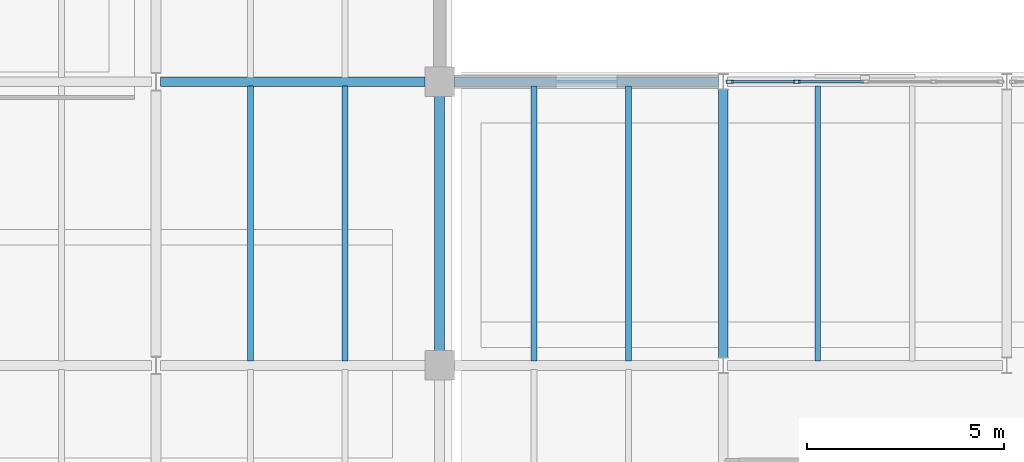
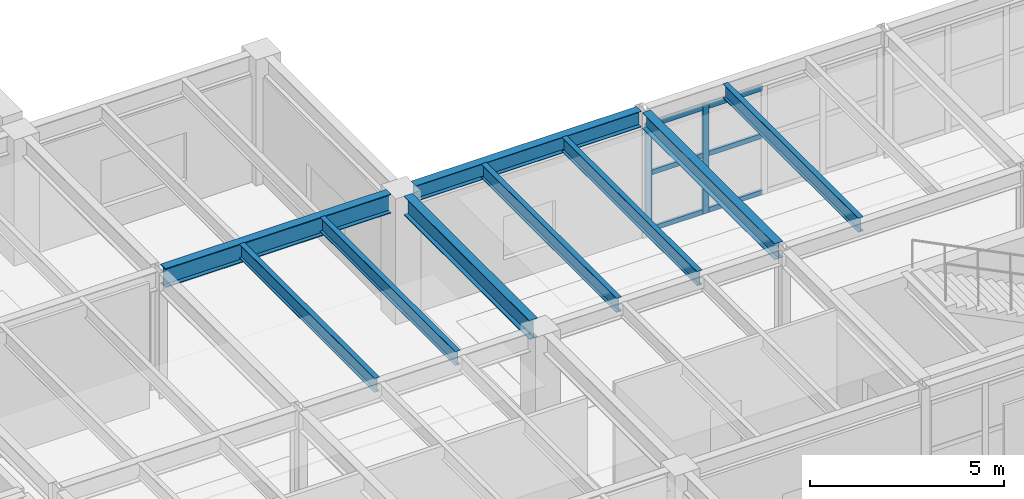
# One storey, part 15 of 37: 9 beams, 8 members, 1 element without a shape of its own.
"""IFC4 building model written with IfcOpenShell, lengths in metres."""

from ifc_helpers import new_model, si_unit, direction, frame, origin, origin_2d, place, context, subcontext, project, spatial, hollow_rectangle, i_section, extrude, material, layer, layer_set, material_profile, profile_set, type_object, element, aggregate, save


model = new_model("IFC4")

# Units and contexts
model_context = context("Model", 3, precision=1e-05, world=origin(), true_north=direction((0.0, 1.0)))
body_context = subcontext(model_context, "Body", "Model", "MODEL_VIEW")
ifc_project = project(units=[si_unit("LENGTHUNIT", "METRE"), si_unit("AREAUNIT", "SQUARE_METRE"), si_unit("VOLUMEUNIT", "CUBIC_METRE"), si_unit("PLANEANGLEUNIT", "RADIAN"), si_unit("MASSUNIT", "GRAM", prefix="KILO")], contexts=[model_context])

# Site, building, storey
site_placement = place(None, origin())
site = spatial("IfcSite", under=ifc_project, at=site_placement, CompositionType="ELEMENT")
building_placement = place(site_placement, origin())
building = spatial("IfcBuilding", under=site, at=building_placement, Name="Kandorven Conservatory and Botanical Research Centre", CompositionType="ELEMENT")
storey_placement = place(building_placement, frame((0.0, 0.0, 9.0)))
storey = spatial("IfcBuildingStorey", under=building, at=storey_placement, Name="L02", CompositionType="ELEMENT", Elevation=9.0)

# Beams
ifc_material_1 = material(Name="Steel S355 (IS 2062 E350)", Category="steel")
ifc_material_profile_1 = material_profile(ifc_material_1, i_section(OverallWidth=0.25, OverallDepth=0.60009765625, WebThickness=0.01171875, FlangeThickness=0.023681640625, at=origin_2d()))
ifc_profile_set_1 = profile_set([ifc_material_profile_1], Name="Steel S355 (IS 2062 E350)")
beam_type_1 = type_object("IfcBeamType", Name="Beam_FG-01", PredefinedType="USERDEFINED", material=ifc_profile_set_1)
beam_1_placement = place(storey_placement, frame((34.9150390625, 27.60009765625, 3.659912109375), z_axis=(1.0, 0.0, 0.0), x_axis=(0.0, 1.0, 0.0)))
element("IfcBeam", 1, at=beam_1_placement, inside=storey, type_object=beam_type_1, Name="Primary girder FG-01 TWR L02", ObjectType="GIRDER", PredefinedType="USERDEFINED", context=body_context, shape_type="SweptSolid", body=[
    extrude(i_section(OverallWidth=0.25, OverallDepth=0.60009765625, WebThickness=0.01171875, FlangeThickness=0.023681640625, at=origin_2d()), origin(), (0.0, 0.0, 1.0), 6.719970703125),
])
beam_2_placement = place(storey_placement, frame((42.0, 20.764892578125, 3.659912109375), z_axis=(0.0, 1.0, 0.0), x_axis=(-1.0, 0.0, 0.0)))
element("IfcBeam", 2, at=beam_2_placement, inside=storey, type_object=beam_type_1, Name="Primary girder FG-01 TWR L02", ObjectType="GIRDER", PredefinedType="USERDEFINED", context=body_context, shape_type="SweptSolid", body=[
    extrude(i_section(OverallWidth=0.25, OverallDepth=0.60009765625, WebThickness=0.01171875, FlangeThickness=0.023681640625, at=origin_2d()), origin(), (0.0, 0.0, 1.0), 6.47021484375),
])
ifc_material_2 = material(Name="Steel S355 (IS 2062 E350)", Category="steel")
ifc_material_profile_2 = material_profile(ifc_material_2, i_section(OverallWidth=0.25, OverallDepth=0.5, WebThickness=0.010009765625, FlangeThickness=0.0146484375, at=origin_2d()))
ifc_profile_set_2 = profile_set([ifc_material_profile_2], Name="Steel S355 (IS 2062 E350)")
beam_type_2 = type_object("IfcBeamType", Name="Beam_FG-02", PredefinedType="USERDEFINED", material=ifc_profile_set_2)
beam_3_placement = place(storey_placement, frame((42.364990234375, 27.60009765625, 3.7099609375), z_axis=(1.0, 0.0, 0.0), x_axis=(0.0, 1.0, 0.0)))
element("IfcBeam", 3, at=beam_3_placement, inside=storey, type_object=beam_type_2, Name="Primary girder FG-02 VIS L02", ObjectType="GIRDER", PredefinedType="USERDEFINED", context=body_context, shape_type="SweptSolid", body=[
    extrude(i_section(OverallWidth=0.25, OverallDepth=0.5, WebThickness=0.010009765625, FlangeThickness=0.0146484375, at=origin_2d()), origin(), (0.0, 0.0, 1.0), 6.719970703125),
])
beam_4_placement = place(storey_placement, frame((49.199951171875, 20.590087890625, 3.7099609375), z_axis=(0.0, 1.0, 0.0), x_axis=(-1.0, 0.0, 0.0)))
element("IfcBeam", 4, at=beam_4_placement, inside=storey, type_object=beam_type_2, Name="Primary girder FG-02 VIS L02", ObjectType="GIRDER", PredefinedType="USERDEFINED", context=body_context, shape_type="SweptSolid", body=[
    extrude(i_section(OverallWidth=0.25, OverallDepth=0.5, WebThickness=0.010009765625, FlangeThickness=0.0146484375, at=origin_2d()), origin(), (0.0, 0.0, 1.0), 6.81982421875),
])
ifc_material_3 = material(Name="Steel S355 (IS 2062 E350)", Category="steel")
ifc_material_profile_3 = material_profile(ifc_material_3, i_section(OverallWidth=0.14990234375, OverallDepth=0.449951171875, WebThickness=0.009521484375, FlangeThickness=0.017333984375, at=origin_2d()))
ifc_profile_set_3 = profile_set([ifc_material_profile_3], Name="Steel S355 (IS 2062 E350)")
beam_type_3 = type_object("IfcBeamType", Name="Beam_SB-04", PredefinedType="BEAM", material=ifc_profile_set_3)
for number, where, z_axis, x_axis, name in (
    (5, (37.199951171875, 20.510009765625, 3.735107421875), (0.0, 1.0, 0.0), (-1.0, 0.0, 0.0), "Composite secondary beam SB-04 TWR L02"),
    (6, (39.60009765625, 20.510009765625, 3.735107421875), (0.0, 1.0, 0.0), (-1.0, 0.0, 0.0), "Composite secondary beam SB-04 TWR L02"),
    (7, (44.39990234375, 20.510009765625, 3.735107421875), (0.0, 1.0, 0.0), (-1.0, 0.0, 0.0), "Composite secondary beam SB-04 VIS L02"),
    (8, (46.800048828125, 20.510009765625, 3.735107421875), (0.0, 1.0, 0.0), (-1.0, 0.0, 0.0), "Composite secondary beam SB-04 VIS L02"),
    (9, (51.60009765625, 20.510009765625, 3.735107421875), (0.0, 1.0, 0.0), (-1.0, 0.0, 0.0), "Composite secondary beam SB-04 VIS L02"),
):
    element("IfcBeam", number, at=place(storey_placement, frame(where, z_axis=z_axis, x_axis=x_axis)), inside=storey, type_object=beam_type_3, Name=name, PredefinedType="BEAM", context=body_context, shape_type="SweptSolid", body=[
        extrude(i_section(OverallWidth=0.14990234375, OverallDepth=0.449951171875, WebThickness=0.009521484375, FlangeThickness=0.017333984375, at=origin_2d()), origin(), (0.0, 0.0, 1.0), 6.97998046875),
    ])

# Curtain wall, members
ifc_material_4 = material(Name="Bronze anodised thermally broken aluminium", Category="aluminium")
ifc_layer = layer(ifc_material_4, 0.179931640625)
ifc_layer_set = layer_set([ifc_layer], Name="Bronze anodised thermally broken aluminium")
curtain_wall_type = type_object("IfcCurtainWallType", Name="CW_Unitised", PredefinedType="USERDEFINED", material=ifc_layer_set)
curtain_wall_placement = place(storey_placement, origin())
curtain_wall = element("IfcCurtainWall", 10, at=curtain_wall_placement, inside=storey, type_object=curtain_wall_type, Name="Visitor wing unitised curtain wall CW-VIS-N-L02-2", ObjectType="UNITISED GLAZING", PredefinedType="USERDEFINED")
ifc_material_5 = material(Name="Bronze anodised thermally broken aluminium", Category="aluminium")
ifc_material_profile_4 = material_profile(ifc_material_5, hollow_rectangle(XDim=0.080078125, YDim=0.179931640625, WallThickness=0.006103515625, at=origin_2d()))
ifc_profile_set_4 = profile_set([ifc_material_profile_4], Name="Bronze anodised thermally broken aluminium")
member_type_1 = type_object("IfcMemberType", Name="CW_Mullion", PredefinedType="MULLION", material=ifc_profile_set_4)
member_1_placement = place(storey_placement, frame((49.364990234375, 27.60009765625, 0.0), z_axis=(0.0, 0.0, 1.0), x_axis=(0.0, 1.0, 0.0)))
member_1 = element("IfcMember", 11, at=member_1_placement, type_object=member_type_1, Name="CW-01 mullion 1", PredefinedType="MULLION", context=body_context, shape_type="SweptSolid", body=[
    extrude(hollow_rectangle(XDim=0.080078125, YDim=0.179931640625, WallThickness=0.006103515625, at=origin_2d()), origin(), (0.0, 0.0, 1.0), 3.419921875),
])
member_2_placement = place(storey_placement, frame((51.0625, 27.60009765625, 0.0), z_axis=(0.0, 0.0, 1.0), x_axis=(0.0, 1.0, 0.0)))
member_2 = element("IfcMember", 12, at=member_2_placement, type_object=member_type_1, Name="CW-01 mullion 2", PredefinedType="MULLION", context=body_context, shape_type="SweptSolid", body=[
    extrude(hollow_rectangle(XDim=0.080078125, YDim=0.179931640625, WallThickness=0.006103515625, at=origin_2d()), origin(), (0.0, 0.0, 1.0), 3.419921875),
])
ifc_material_6 = material(Name="Bronze anodised thermally broken aluminium", Category="aluminium")
ifc_material_profile_5 = material_profile(ifc_material_6, hollow_rectangle(XDim=0.074951171875, YDim=0.14990234375, WallThickness=0.006103515625, at=origin_2d()))
ifc_profile_set_5 = profile_set([ifc_material_profile_5], Name="Bronze anodised thermally broken aluminium")
member_type_2 = type_object("IfcMemberType", Name="CW_Transom", PredefinedType="USERDEFINED", material=ifc_profile_set_5)
member_3_placement = place(storey_placement, frame((49.405029296875, 27.60009765625, 0.074951171875), z_axis=(1.0, 0.0, 0.0), x_axis=(0.0, 1.0, 0.0)))
member_3 = element("IfcMember", 13, at=member_3_placement, type_object=member_type_2, Name="CW-01 transom 1.1", ObjectType="TRANSOM", PredefinedType="USERDEFINED", context=body_context, shape_type="SweptSolid", body=[
    extrude(hollow_rectangle(XDim=0.074951171875, YDim=0.14990234375, WallThickness=0.006103515625, at=origin_2d()), origin(), (0.0, 0.0, 1.0), 1.617431640625),
])
member_4_placement = place(storey_placement, frame((49.405029296875, 27.60009765625, 1.85009765625), z_axis=(1.0, 0.0, 0.0), x_axis=(0.0, 1.0, 0.0)))
member_4 = element("IfcMember", 14, at=member_4_placement, type_object=member_type_2, Name="CW-01 transom 1.2", ObjectType="TRANSOM", PredefinedType="USERDEFINED", context=body_context, shape_type="SweptSolid", body=[
    extrude(hollow_rectangle(XDim=0.074951171875, YDim=0.14990234375, WallThickness=0.006103515625, at=origin_2d()), origin(), (0.0, 0.0, 1.0), 1.617431640625),
])
member_5_placement = place(storey_placement, frame((49.405029296875, 27.60009765625, 3.344970703125), z_axis=(1.0, 0.0, 0.0), x_axis=(0.0, 1.0, 0.0)))
member_5 = element("IfcMember", 15, at=member_5_placement, type_object=member_type_2, Name="CW-01 transom 1.3", ObjectType="TRANSOM", PredefinedType="USERDEFINED", context=body_context, shape_type="SweptSolid", body=[
    extrude(hollow_rectangle(XDim=0.074951171875, YDim=0.14990234375, WallThickness=0.006103515625, at=origin_2d()), origin(), (0.0, 0.0, 1.0), 1.617431640625),
])
member_6_placement = place(storey_placement, frame((51.1025390625, 27.60009765625, 0.074951171875), z_axis=(1.0, 0.0, 0.0), x_axis=(0.0, 1.0, 0.0)))
member_6 = element("IfcMember", 16, at=member_6_placement, type_object=member_type_2, Name="CW-01 transom 2.1", ObjectType="TRANSOM", PredefinedType="USERDEFINED", context=body_context, shape_type="SweptSolid", body=[
    extrude(hollow_rectangle(XDim=0.074951171875, YDim=0.14990234375, WallThickness=0.006103515625, at=origin_2d()), origin(), (0.0, 0.0, 1.0), 1.657470703125),
])
member_7_placement = place(storey_placement, frame((51.1025390625, 27.60009765625, 1.85009765625), z_axis=(1.0, 0.0, 0.0), x_axis=(0.0, 1.0, 0.0)))
member_7 = element("IfcMember", 17, at=member_7_placement, type_object=member_type_2, Name="CW-01 transom 2.2", ObjectType="TRANSOM", PredefinedType="USERDEFINED", context=body_context, shape_type="SweptSolid", body=[
    extrude(hollow_rectangle(XDim=0.074951171875, YDim=0.14990234375, WallThickness=0.006103515625, at=origin_2d()), origin(), (0.0, 0.0, 1.0), 1.657470703125),
])
member_8_placement = place(storey_placement, frame((51.1025390625, 27.60009765625, 3.344970703125), z_axis=(1.0, 0.0, 0.0), x_axis=(0.0, 1.0, 0.0)))
member_8 = element("IfcMember", 18, at=member_8_placement, type_object=member_type_2, Name="CW-01 transom 2.3", ObjectType="TRANSOM", PredefinedType="USERDEFINED", context=body_context, shape_type="SweptSolid", body=[
    extrude(hollow_rectangle(XDim=0.074951171875, YDim=0.14990234375, WallThickness=0.006103515625, at=origin_2d()), origin(), (0.0, 0.0, 1.0), 1.657470703125),
])
aggregate(curtain_wall, [member_1, member_2, member_3, member_4, member_5, member_6, member_7, member_8])

save(model, "model.ifc")
